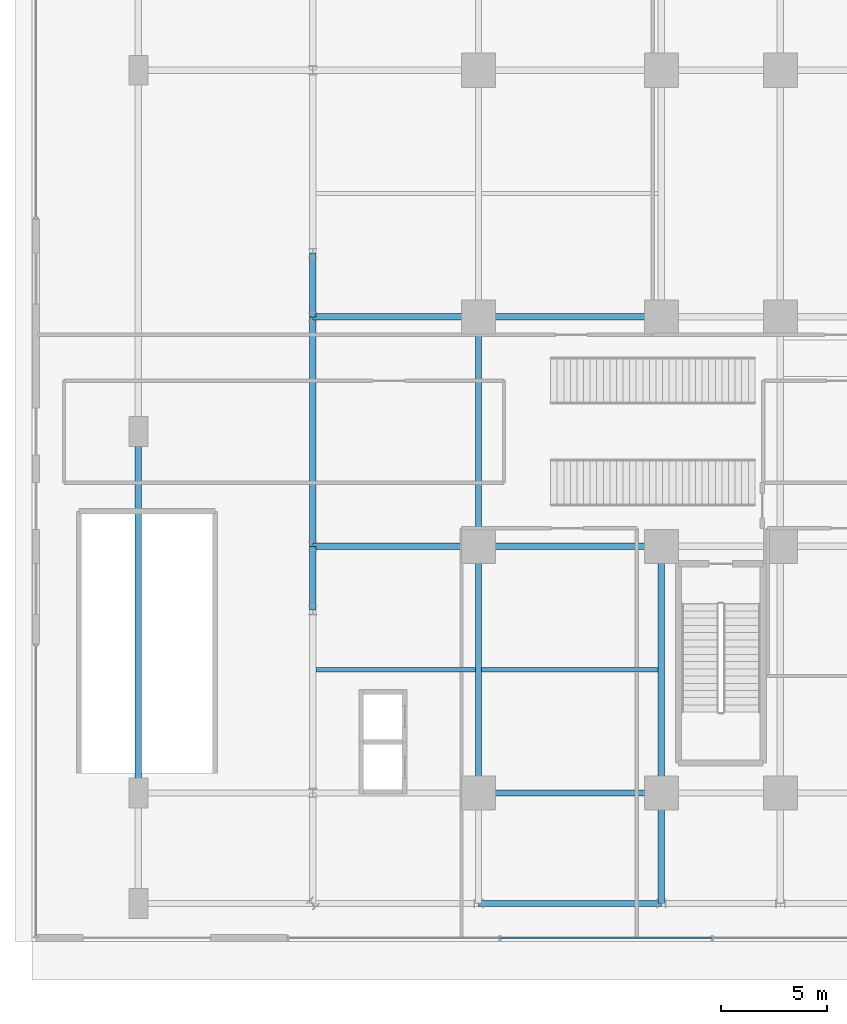
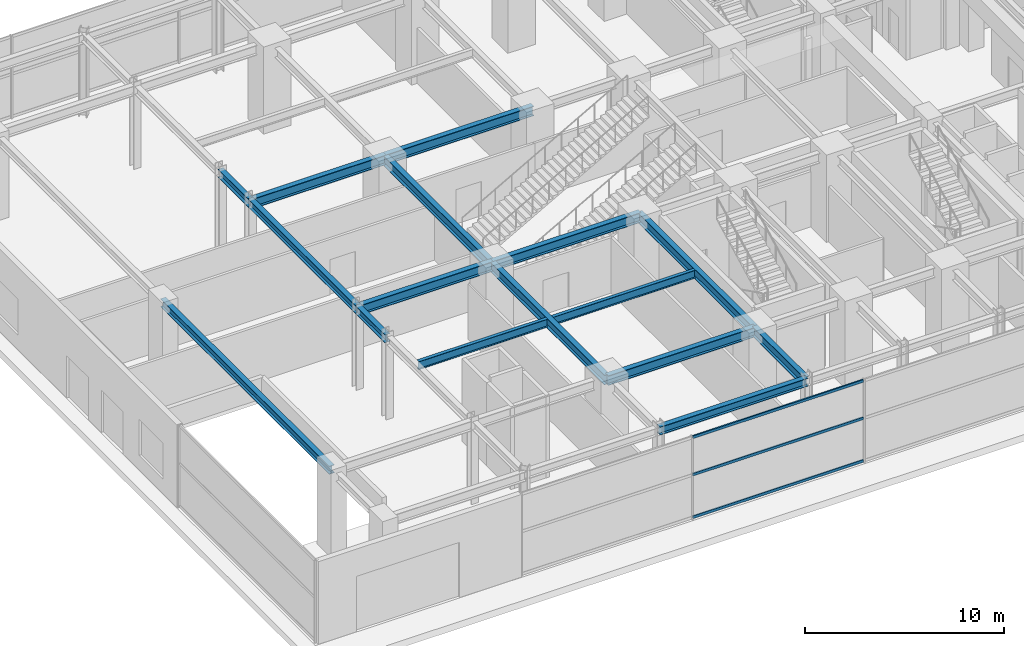
# One storey, part 6 of 29: 16 beams, 3 members, 1 element without a shape of its own.
"""IFC4 building model written with IfcOpenShell, lengths in metres."""

from ifc_helpers import new_model, si_unit, direction, frame, origin, origin_2d, place, context, subcontext, project, spatial, hollow_rectangle, i_section, extrude, source, transform, mapped, material, material_profile, profile_set, type_object, element, aggregate, save


model = new_model("IFC4")

# Units and contexts
model_context = context("Model", 3, precision=1e-05, world=origin(), true_north=direction((0.0, 1.0)))
body_context = subcontext(model_context, "Body", "Model", "MODEL_VIEW")
ifc_project = project(units=[si_unit("LENGTHUNIT", "METRE"), si_unit("AREAUNIT", "SQUARE_METRE"), si_unit("VOLUMEUNIT", "CUBIC_METRE"), si_unit("PLANEANGLEUNIT", "RADIAN"), si_unit("MASSUNIT", "GRAM", prefix="KILO")], contexts=[model_context])

# Site, building, storey
site_placement = place(None, origin())
site = spatial("IfcSite", under=ifc_project, at=site_placement, CompositionType="ELEMENT")
building_placement = place(site_placement, origin())
building = spatial("IfcBuilding", under=site, at=building_placement, Name="Nahalor Promenade Grand Hotel", CompositionType="ELEMENT")
storey_placement = place(building_placement, origin())
storey = spatial("IfcBuildingStorey", under=building, at=storey_placement, Name="L00", CompositionType="ELEMENT", Elevation=0.0)

# Beams
ifc_material_1 = material(Name="Steel S355JR", Category="steel")
ifc_material_profile_1 = material_profile(ifc_material_1, i_section(OverallWidth=0.3, OverallDepth=0.6, WebThickness=0.0155, FlangeThickness=0.03, at=origin_2d()), Name="HEB 600")
ifc_profile_set_1 = profile_set([ifc_material_profile_1], Name="Steel S355JR")
beam_type_1 = type_object("IfcBeamType", Name="Beam-Girder-HEB600", PredefinedType="BEAM", material=ifc_profile_set_1)
shared_shape_1 = source(origin(), body_context, "Body", "SweptSolid", [
    extrude(i_section(OverallWidth=0.3, OverallDepth=0.6, WebThickness=0.0155, FlangeThickness=0.03, at=origin_2d()), origin(), (0.0, 0.0, 1.0), 7.800048828125),
])
for number, where, z_axis, x_axis, name in (
    (1, (-24.800048828125, -5.39990234375, 4.780029296875), (1.0, 0.0, 0.0), (0.0, 1.0, 0.0), "BM-L00-GX-1-0"),
    (2, (-24.800048828125, 5.39990234375, 4.780029296875), (1.0, 0.0, 0.0), (0.0, 1.0, 0.0), "BM-L00-GX-2-0"),
):
    element("IfcBeam", number, at=place(storey_placement, frame(where, z_axis=z_axis, x_axis=x_axis)), inside=storey, type_object=beam_type_1, Name=name, PredefinedType="BEAM", context=body_context, shape_type="MappedRepresentation", body=[
        mapped(shared_shape_1, transform((0.0, 0.0, 0.0), scale=1.0)),
    ])
shared_shape_2 = source(origin(), body_context, "Body", "SweptSolid", [
    extrude(i_section(OverallWidth=0.3, OverallDepth=0.6, WebThickness=0.0155, FlangeThickness=0.03, at=origin_2d()), origin(), (0.0, 0.0, 1.0), 8.60009765625),
])
for number, where, z_axis, x_axis, name in (
    (3, (-17.0, -17.0, 4.780029296875), (1.0, 0.0, 0.0), (0.0, 1.0, 0.0), "BM-L00-GX-0-2"),
    (4, (-17.0, -5.39990234375, 4.780029296875), (1.0, 0.0, 0.0), (0.0, 1.0, 0.0), "BM-L00-GX-1-1"),
    (5, (-17.0, 5.39990234375, 4.780029296875), (1.0, 0.0, 0.0), (0.0, 1.0, 0.0), "BM-L00-GX-2-1"),
):
    element("IfcBeam", number, at=place(storey_placement, frame(where, z_axis=z_axis, x_axis=x_axis)), inside=storey, type_object=beam_type_1, Name=name, PredefinedType="BEAM", context=body_context, shape_type="MappedRepresentation", body=[
        mapped(shared_shape_2, transform((0.0, 0.0, 0.0), scale=1.0)),
    ])
shared_shape_3 = source(origin(), body_context, "Body", "SweptSolid", [
    extrude(i_section(OverallWidth=0.3, OverallDepth=0.6, WebThickness=0.0155, FlangeThickness=0.03, at=origin_2d()), origin(), (0.0, 0.0, 1.0), 5.199951171875),
])
beam_1_placement = place(storey_placement, frame((-8.39990234375, -22.199951171875, 4.780029296875), z_axis=(0.0, 1.0, 0.0), x_axis=(-1.0, 0.0, 0.0)))
element("IfcBeam", 6, at=beam_1_placement, inside=storey, type_object=beam_type_1, Name="BM-L00-GY-1-0", PredefinedType="BEAM", context=body_context, shape_type="MappedRepresentation", body=[
    mapped(shared_shape_3, transform((0.0, 0.0, 0.0), scale=1.0)),
])
shared_shape_4 = source(origin(), body_context, "Body", "SweptSolid", [
    extrude(i_section(OverallWidth=0.3, OverallDepth=0.6, WebThickness=0.0155, FlangeThickness=0.03, at=origin_2d()), origin(), (0.0, 0.0, 1.0), 11.60009765625),
])
for number, where, z_axis, x_axis, name in (
    (7, (-17.0, -17.0, 4.780029296875), (0.0, 1.0, 0.0), (-1.0, 0.0, 0.0), "BM-L00-GY-0-1"),
    (8, (-8.39990234375, -17.0, 4.780029296875), (0.0, 1.0, 0.0), (-1.0, 0.0, 0.0), "BM-L00-GY-1-1"),
):
    element("IfcBeam", number, at=place(storey_placement, frame(where, z_axis=z_axis, x_axis=x_axis)), inside=storey, type_object=beam_type_1, Name=name, PredefinedType="BEAM", context=body_context, shape_type="MappedRepresentation", body=[
        mapped(shared_shape_4, transform((0.0, 0.0, 0.0), scale=1.0)),
    ])
shared_shape_5 = source(origin(), body_context, "Body", "SweptSolid", [
    extrude(i_section(OverallWidth=0.3, OverallDepth=0.6, WebThickness=0.0155, FlangeThickness=0.03, at=origin_2d()), origin(), (0.0, 0.0, 1.0), 10.7998046875),
])
beam_2_placement = place(storey_placement, frame((-17.0, -5.39990234375, 4.780029296875), z_axis=(0.0, 1.0, 0.0), x_axis=(-1.0, 0.0, 0.0)))
element("IfcBeam", 9, at=beam_2_placement, inside=storey, type_object=beam_type_1, Name="BM-L00-GY-0-2", PredefinedType="BEAM", context=body_context, shape_type="MappedRepresentation", body=[
    mapped(shared_shape_5, transform((0.0, 0.0, 0.0), scale=1.0)),
])
ifc_material_profile_2 = material_profile(ifc_material_1, i_section(OverallWidth=0.3, OverallDepth=0.5, WebThickness=0.0145, FlangeThickness=0.028, at=origin_2d()), Name="HEB 500")
ifc_profile_set_2 = profile_set([ifc_material_profile_2], Name="Steel S355JR")
beam_type_2 = type_object("IfcBeamType", Name="Beam-Spandrel-HEB500", PredefinedType="SPANDREL", material=ifc_profile_set_2)
shared_shape_6 = source(origin(), body_context, "Body", "SweptSolid", [
    extrude(i_section(OverallWidth=0.3, OverallDepth=0.5, WebThickness=0.0145, FlangeThickness=0.028, at=origin_2d()), origin(), (0.0, 0.0, 1.0), 8.60009765625),
])
beam_3_placement = place(storey_placement, frame((-17.0, -22.199951171875, 4.830078125), z_axis=(1.0, 0.0, 0.0), x_axis=(0.0, 1.0, 0.0)))
element("IfcBeam", 10, at=beam_3_placement, inside=storey, type_object=beam_type_2, Name="BM-L00-SP-S-0", PredefinedType="SPANDREL", context=body_context, shape_type="MappedRepresentation", body=[
    mapped(shared_shape_6, transform((0.0, 0.0, 0.0), scale=1.0)),
])
shared_shape_7 = source(origin(), body_context, "Body", "SweptSolid", [
    extrude(i_section(OverallWidth=0.3, OverallDepth=0.5, WebThickness=0.0145, FlangeThickness=0.028, at=origin_2d()), origin(), (0.0, 0.0, 1.0), 3.0),
])
for number, where, z_axis, x_axis, name in (
    (11, (-24.800048828125, -8.39990234375, 4.830078125), (0.0, 1.0, 0.0), (-1.0, 0.0, 0.0), "BM-L00-SP-W-1"),
    (12, (-24.800048828125, 5.39990234375, 4.830078125), (0.0, 1.0, 0.0), (-1.0, 0.0, 0.0), "BM-L00-SP-W-3"),
):
    element("IfcBeam", number, at=place(storey_placement, frame(where, z_axis=z_axis, x_axis=x_axis)), inside=storey, type_object=beam_type_2, Name=name, PredefinedType="SPANDREL", context=body_context, shape_type="MappedRepresentation", body=[
        mapped(shared_shape_7, transform((0.0, 0.0, 0.0), scale=1.0)),
    ])
shared_shape_8 = source(origin(), body_context, "Body", "SweptSolid", [
    extrude(i_section(OverallWidth=0.3, OverallDepth=0.5, WebThickness=0.0145, FlangeThickness=0.028, at=origin_2d()), origin(), (0.0, 0.0, 1.0), 10.7998046875),
])
beam_4_placement = place(storey_placement, frame((-24.800048828125, -5.39990234375, 4.830078125), z_axis=(0.0, 1.0, 0.0), x_axis=(-1.0, 0.0, 0.0)))
element("IfcBeam", 13, at=beam_4_placement, inside=storey, type_object=beam_type_2, Name="BM-L00-SP-W-2", PredefinedType="SPANDREL", context=body_context, shape_type="MappedRepresentation", body=[
    mapped(shared_shape_8, transform((0.0, 0.0, 0.0), scale=1.0)),
])
shared_shape_9 = source(origin(), body_context, "Body", "SweptSolid", [
    extrude(i_section(OverallWidth=0.3, OverallDepth=0.5, WebThickness=0.0145, FlangeThickness=0.028, at=origin_2d()), origin(), (0.0, 0.0, 1.0), 17.0),
])
beam_5_placement = place(storey_placement, frame((-33.0, -17.0, 4.830078125), z_axis=(0.0, 1.0, 0.0), x_axis=(-1.0, 0.0, 0.0)))
element("IfcBeam", 14, at=beam_5_placement, inside=storey, type_object=beam_type_2, Name="BM-L00-PW-1", PredefinedType="SPANDREL", context=body_context, shape_type="MappedRepresentation", body=[
    mapped(shared_shape_9, transform((0.0, 0.0, 0.0), scale=1.0)),
])
ifc_material_profile_3 = material_profile(ifc_material_1, i_section(OverallWidth=0.2, OverallDepth=0.5, WebThickness=0.0102, FlangeThickness=0.016, at=origin_2d()), Name="IPE 500")
ifc_profile_set_3 = profile_set([ifc_material_profile_3], Name="Steel S355JR")
beam_type_3 = type_object("IfcBeamType", Name="Beam-Joist-IPE500", PredefinedType="JOIST", material=ifc_profile_set_3)
shared_shape_10 = source(origin(), body_context, "Body", "SweptSolid", [
    extrude(i_section(OverallWidth=0.2, OverallDepth=0.5, WebThickness=0.0102, FlangeThickness=0.016, at=origin_2d()), origin(), (0.0, 0.0, 1.0), 7.5),
])
beam_6_placement = place(storey_placement, frame((-24.64990234375, -11.199951171875, 4.830078125), z_axis=(1.0, 0.0, 0.0), x_axis=(0.0, 1.0, 0.0)))
element("IfcBeam", 15, at=beam_6_placement, inside=storey, type_object=beam_type_3, Name="BM-L00-JSW-0-0", PredefinedType="JOIST", context=body_context, shape_type="MappedRepresentation", body=[
    mapped(shared_shape_10, transform((0.0, 0.0, 0.0), scale=1.0)),
])
shared_shape_11 = source(origin(), body_context, "Body", "SweptSolid", [
    extrude(i_section(OverallWidth=0.2, OverallDepth=0.5, WebThickness=0.0102, FlangeThickness=0.016, at=origin_2d()), origin(), (0.0, 0.0, 1.0), 8.300048828125),
])
beam_7_placement = place(storey_placement, frame((-16.85009765625, -11.199951171875, 4.830078125), z_axis=(1.0, 0.0, 0.0), x_axis=(0.0, 1.0, 0.0)))
element("IfcBeam", 16, at=beam_7_placement, inside=storey, type_object=beam_type_3, Name="BM-L00-JSW-0-1", PredefinedType="JOIST", context=body_context, shape_type="MappedRepresentation", body=[
    mapped(shared_shape_11, transform((0.0, 0.0, 0.0), scale=1.0)),
])

# Curtain wall, members
ifc_material_2 = material(Name="Anodised Bronze Aluminium EN AW-6063 T6", Category="aluminium")
curtain_wall_type = type_object("IfcCurtainWallType", Name="CW1 Waterfront Podium Bronze Arcade Curtain Wall", PredefinedType="USERDEFINED", material=ifc_material_2)
curtain_wall_placement = place(storey_placement, origin())
curtain_wall = element("IfcCurtainWall", 17, at=curtain_wall_placement, inside=storey, type_object=curtain_wall_type, Name="L00 Curtain Wall CW-L00-S-MID", ObjectType="UNITISED_CURTAIN_WALL", PredefinedType="USERDEFINED")
ifc_material_profile_4 = material_profile(ifc_material_2, hollow_rectangle(XDim=0.08, YDim=0.16, WallThickness=0.004, at=origin_2d()), Name="CWT 80x160x4")
ifc_profile_set_4 = profile_set([ifc_material_profile_4], Name="Anodised Bronze Aluminium EN AW-6063 T6")
member_type = type_object("IfcMemberType", Name="CWT1 Podium Bronze Transom 80x160", PredefinedType="USERDEFINED", material=ifc_profile_set_4)
shared_shape_12 = source(origin(), body_context, "Body", "SweptSolid", [
    extrude(hollow_rectangle(XDim=0.08, YDim=0.16, WallThickness=0.004, at=origin_2d()), origin(), (0.0, 0.0, 1.0), 9.919921875),
])
member_1_placement = place(storey_placement, frame((-15.9599609375, -23.820068359375, 0.080078125), z_axis=(1.0, 0.0, 0.0), x_axis=(0.0, 1.0, 0.0)))
member_1 = element("IfcMember", 18, at=member_1_placement, type_object=member_type, Name="CW-L00-S-MID Transom 1-0", ObjectType="TRANSOM", PredefinedType="USERDEFINED", context=body_context, shape_type="MappedRepresentation", body=[
    mapped(shared_shape_12, transform((0.0, 0.0, 0.0), scale=1.0)),
])
member_2_placement = place(storey_placement, frame((-15.9599609375, -23.820068359375, 2.699951171875), z_axis=(1.0, 0.0, 0.0), x_axis=(0.0, 1.0, 0.0)))
member_2 = element("IfcMember", 19, at=member_2_placement, type_object=member_type, Name="CW-L00-S-MID Transom 1-1", ObjectType="TRANSOM", PredefinedType="USERDEFINED", context=body_context, shape_type="MappedRepresentation", body=[
    mapped(shared_shape_12, transform((0.0, 0.0, 0.0), scale=1.0)),
])
member_3_placement = place(storey_placement, frame((-15.9599609375, -23.820068359375, 5.0), z_axis=(1.0, 0.0, 0.0), x_axis=(0.0, 1.0, 0.0)))
member_3 = element("IfcMember", 20, at=member_3_placement, type_object=member_type, Name="CW-L00-S-MID Transom 1-2", ObjectType="TRANSOM", PredefinedType="USERDEFINED", context=body_context, shape_type="MappedRepresentation", body=[
    mapped(shared_shape_12, transform((0.0, 0.0, 0.0), scale=1.0)),
])
aggregate(curtain_wall, [member_1, member_2, member_3])

save(model, "model.ifc")
